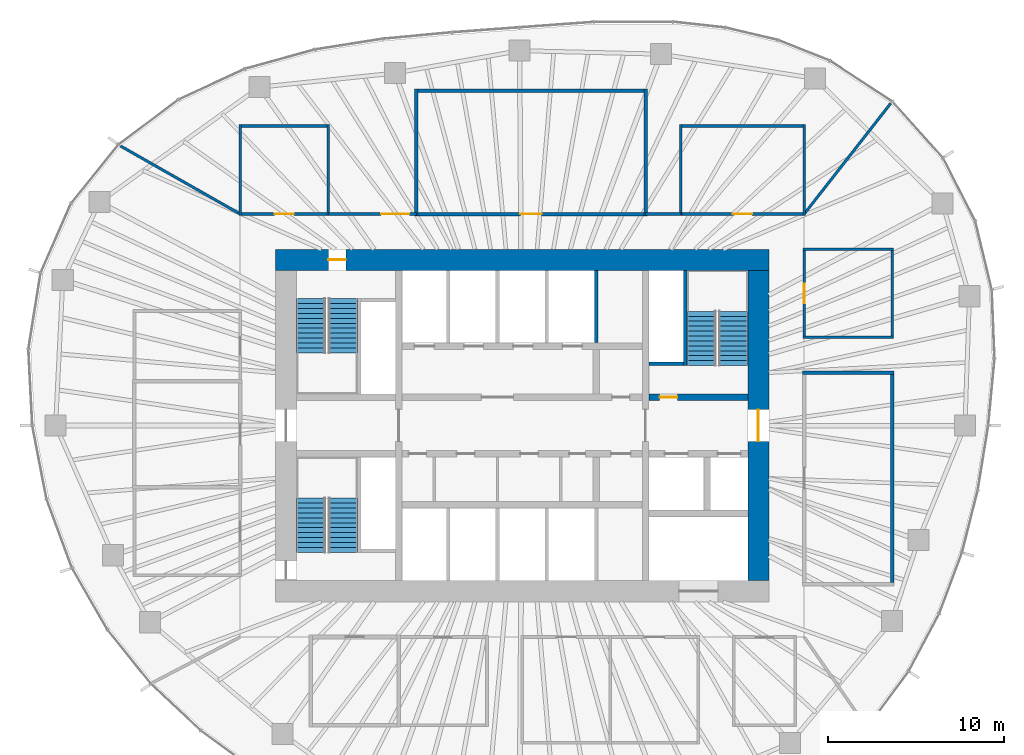
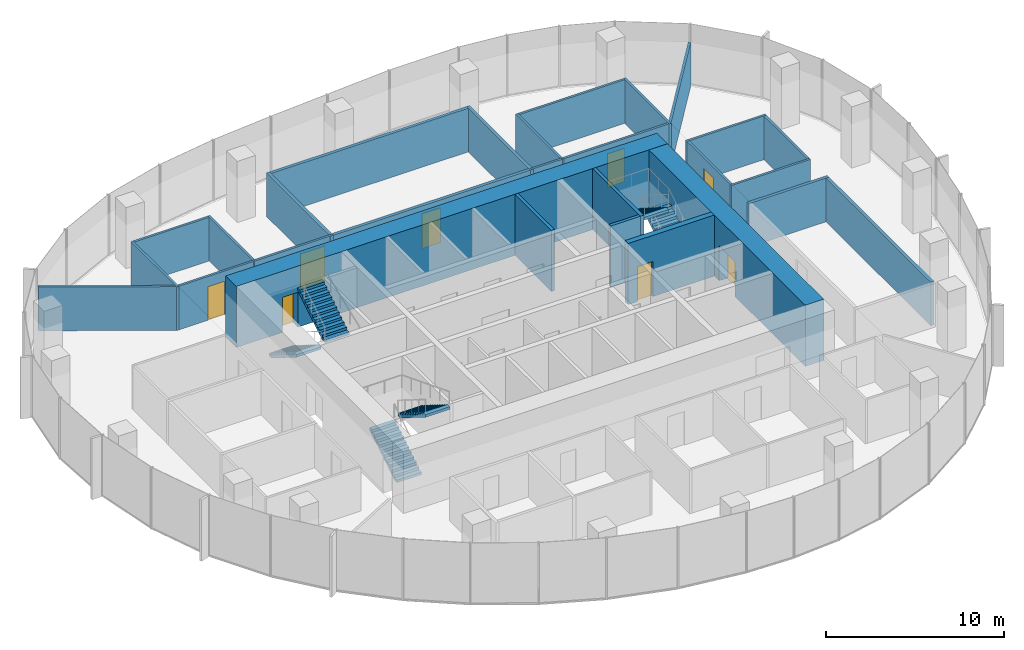
# One storey, part 10 of 11: 28 walls, 8 doors, 6 stair flights, 8 openings, 3 elements without a shape of their own.
"""IFC4 building model written with IfcOpenShell, lengths in metres."""

from ifc_helpers import new_model, si_unit, direction, frame, frame_2d, origin, place, context, subcontext, project, spatial, polyline, rectangle, outline, extrude, material, layer, layer_set, type_object, element, fill, aggregate, save


model = new_model("IFC4")

# Units and contexts
model_context = context("Model", 3, precision=1e-05, world=origin(), true_north=direction((0.0, 1.0)))
body_context = subcontext(model_context, "Body", "Model", "MODEL_VIEW")
ifc_project = project(units=[si_unit("LENGTHUNIT", "METRE"), si_unit("AREAUNIT", "SQUARE_METRE"), si_unit("VOLUMEUNIT", "CUBIC_METRE"), si_unit("PLANEANGLEUNIT", "RADIAN"), si_unit("MASSUNIT", "GRAM", prefix="KILO")], contexts=[model_context])

# Site, building, storey
site_placement = place(None, origin())
site = spatial("IfcSite", under=ifc_project, at=site_placement, CompositionType="ELEMENT")
building_placement = place(site_placement, origin())
building = spatial("IfcBuilding", under=site, at=building_placement, Name="Ghaith Harvest Tower", CompositionType="ELEMENT")
storey_placement = place(building_placement, frame((0.0, 0.0, 257.800048828125)))
storey = spatial("IfcBuildingStorey", under=building, at=storey_placement, Name="L57", CompositionType="ELEMENT", Elevation=257.800048828125)

# Walls
ifc_material_1 = material(Name="Twin-stud gypsum board, acoustic", Category="gypsum")
ifc_layer_1 = layer(ifc_material_1, 0.199951171875)
ifc_layer_set_1 = layer_set([ifc_layer_1], Name="ACOUSTIC PARTITION 200")
wall_type_1 = type_object("IfcWallType", Name="ACOUSTIC PARTITION 200", PredefinedType="PARTITIONING", material=ifc_layer_set_1)
for number, where, z_axis, x_axis, name in (
    (1, (-6.0, 11.89990234375, 0.0), (0.0, 0.0, 1.0), (0.0, 1.0, 0.0), "Partition L57 row N1 cross wall 1"),
    (2, (7.0, 11.89990234375, 0.0), (0.0, 0.0, 1.0), (0.0, 1.0, 0.0), "Partition L57 row N1 cross wall 2"),
):
    element("IfcWall", number, at=place(storey_placement, frame(where, z_axis=z_axis, x_axis=x_axis)), inside=storey, type_object=wall_type_1, Name=name, PredefinedType="PARTITIONING", context=body_context, shape_type="SweptSolid", body=[
        extrude(rectangle(XDim=7.2001953125, YDim=0.199951171875, at=frame_2d((3.60009765625, 0.0))), origin(), (0.0, 0.0, 1.0), 3.0),
    ])

# Wall, opening, door
wall_1_placement = place(storey_placement, frame((-5.89990234375, 12.0, 0.0), z_axis=(0.0, 0.0, 1.0), x_axis=(1.0, 0.0, 0.0)))
wall_1 = element("IfcWall", 3, at=wall_1_placement, inside=storey, type_object=wall_type_1, Name="Partition L57-01", PredefinedType="PARTITIONING", context=body_context, shape_type="SweptSolid", body=[
    extrude(rectangle(XDim=12.7998046875, YDim=0.199951171875, at=frame_2d((6.39990234375, 0.0))), origin(), (0.0, 0.0, 1.0), 3.0),
])
opening_1_placement = place(wall_1_placement, frame((5.800048828125, 0.0, 0.0)))
opening_1 = element("IfcOpeningElement", 4, at=opening_1_placement, cuts=wall_1, Name="Opening 57-022", PredefinedType="OPENING", context=body_context, shape_type="SweptSolid", body=[
    extrude(rectangle(XDim=1.199951171875, YDim=2.39990234375, at=frame_2d((0.60009765625, 1.199951171875))), frame((0.0, 0.10986328125, 0.0), z_axis=(0.0, -1.0, 0.0), x_axis=(1.0, 0.0, 0.0)), (0.0, 0.0, 1.0), 0.219970703125),
])
ifc_material_2 = material(Name="Timber door", Category="wood")
door_type_1 = type_object("IfcDoorType", Name="D11 GLAZED 1200x2400", OperationType="SINGLE_SWING_LEFT", PredefinedType="DOOR", material=ifc_material_2)
door_1_placement = place(opening_1_placement, origin())
door_1 = element("IfcDoor", 5, at=door_1_placement, inside=storey, type_object=door_type_1, Name="Boardroom door", OperationType="SINGLE_SWING_LEFT", OverallHeight=2.39990234375, OverallWidth=1.199951171875, PredefinedType="DOOR", context=body_context, shape_type="SweptSolid", body=[
    extrude(rectangle(XDim=1.199951171875, YDim=2.39990234375, at=frame_2d((0.60009765625, 1.199951171875))), frame((0.0, 0.02490234375, 0.0), z_axis=(0.0, -1.0, 0.0), x_axis=(1.0, 0.0, 0.0)), (0.0, 0.0, 1.0), 0.050048828125),
])
fill(opening_1, door_1)

# Walls
wall_2_placement = place(storey_placement, frame((-5.89990234375, 19.0, 0.0), z_axis=(0.0, 0.0, 1.0), x_axis=(1.0, 0.0, 0.0)))
element("IfcWall", 6, at=wall_2_placement, inside=storey, type_object=wall_type_1, Name="Partition L57-01", PredefinedType="PARTITIONING", context=body_context, shape_type="SweptSolid", body=[
    extrude(rectangle(XDim=12.7998046875, YDim=0.199951171875, at=frame_2d((6.39990234375, 0.0))), origin(), (0.0, 0.0, 1.0), 3.0),
])
wall_3_placement = place(storey_placement, frame((15.89990234375, 3.0, 0.0), z_axis=(0.0, 0.0, 1.0), x_axis=(1.0, 0.0, 0.0)))
element("IfcWall", 7, at=wall_3_placement, inside=storey, type_object=wall_type_1, Name="Partition L57 row E4 cross wall 2", PredefinedType="PARTITIONING", context=body_context, shape_type="SweptSolid", body=[
    extrude(rectangle(XDim=5.2001953125, YDim=0.199951171875, at=frame_2d((2.60009765625, 0.0))), origin(), (0.0, 0.0, 1.0), 3.0),
])
wall_4_placement = place(storey_placement, frame((21.0, -8.89990234375, 0.0), z_axis=(0.0, 0.0, 1.0), x_axis=(0.0, 1.0, 0.0)))
element("IfcWall", 8, at=wall_4_placement, inside=storey, type_object=wall_type_1, Name="Partition L57-04", PredefinedType="PARTITIONING", context=body_context, shape_type="SweptSolid", body=[
    extrude(rectangle(XDim=11.7998046875, YDim=0.199951171875, at=frame_2d((5.89990234375, 0.0))), origin(), (0.0, 0.0, 1.0), 3.0),
])

# Wall, opening, door
ifc_material_3 = material(Name="Concrete C60/75", Category="concrete")
ifc_layer_2 = layer(ifc_material_3, 1.199951171875)
ifc_layer_set_2 = layer_set([ifc_layer_2], Name="CORE WALL CW1200 C60")
wall_type_2 = type_object("IfcWallType", Name="CORE WALL CW1200 C60", PredefinedType="SHEAR", material=ifc_layer_set_2)
wall_5_placement = place(storey_placement, frame((14.0, 9.39990234375, 0.0), z_axis=(0.0, 0.0, 1.0), x_axis=(-1.0, 0.0, 0.0)))
wall_5 = element("IfcWall", 9, at=wall_5_placement, inside=storey, type_object=wall_type_2, Name="Core wall N L57", PredefinedType="SHEAR", context=body_context, shape_type="SweptSolid", body=[
    extrude(rectangle(XDim=28.0, YDim=1.199951171875, at=frame_2d((14.0, 0.0))), origin(), (0.0, 0.0, 1.0), 4.199951171875),
])
opening_2_placement = place(wall_5_placement, frame((24.0, 0.0, 0.0)))
opening_2 = element("IfcOpeningElement", 10, at=opening_2_placement, cuts=wall_5, Name="Opening 57-005", PredefinedType="OPENING", context=body_context, shape_type="SweptSolid", body=[
    extrude(rectangle(XDim=1.0, YDim=2.39990234375, at=frame_2d((0.5, 1.199951171875))), frame((0.0, 0.60986328125, 0.0), z_axis=(0.0, -1.0, 0.0), x_axis=(1.0, 0.0, 0.0)), (0.0, 0.0, 1.0), 1.219970703125),
])
ifc_material_4 = material(Name="Steel fire door", Category="steel")
door_type_2 = type_object("IfcDoorType", Name="D3 FD90 1000x2400", OperationType="SINGLE_SWING_LEFT", PredefinedType="DOOR", material=ifc_material_4)
door_2_placement = place(opening_2_placement, origin())
door_2 = element("IfcDoor", 11, at=door_2_placement, inside=storey, type_object=door_type_2, Name="Stair ST1 door", OperationType="SINGLE_SWING_RIGHT", OverallHeight=2.39990234375, OverallWidth=1.0, PredefinedType="DOOR", context=body_context, shape_type="SweptSolid", body=[
    extrude(rectangle(XDim=1.0, YDim=2.39990234375, at=frame_2d((0.5, 1.199951171875))), frame((0.0, 0.02490234375, 0.0), z_axis=(0.0, -1.0, 0.0), x_axis=(1.0, 0.0, 0.0)), (0.0, 0.0, 1.0), 0.050048828125),
])
fill(opening_2, door_2)

wall_6_placement = place(storey_placement, frame((13.39990234375, -8.800048828125, 0.0), z_axis=(0.0, 0.0, 1.0), x_axis=(0.0, 1.0, 0.0)))
wall_6 = element("IfcWall", 12, at=wall_6_placement, inside=storey, type_object=wall_type_2, Name="Core wall E L57", PredefinedType="SHEAR", context=body_context, shape_type="SweptSolid", body=[
    extrude(rectangle(XDim=17.60009765625, YDim=1.199951171875, at=frame_2d((8.800048828125, 0.0))), origin(), (0.0, 0.0, 1.0), 4.199951171875),
])
opening_3_placement = place(wall_6_placement, frame((7.89990234375, 0.0, 0.0)))
opening_3 = element("IfcOpeningElement", 13, at=opening_3_placement, cuts=wall_6, Name="Opening 57-002", PredefinedType="OPENING", context=body_context, shape_type="SweptSolid", body=[
    extrude(rectangle(XDim=1.800048828125, YDim=2.39990234375, at=frame_2d((0.89990234375, 1.199951171875))), frame((0.0, 0.60986328125, 0.0), z_axis=(0.0, -1.0, 0.0), x_axis=(1.0, 0.0, 0.0)), (0.0, 0.0, 1.0), 1.219970703125),
])
ifc_material_5 = material(Name="Steel fire door", Category="steel")
door_type_3 = type_object("IfcDoorType", Name="D4 FD90 PAIR 1800x2400", OperationType="DOUBLE_DOOR_SINGLE_SWING", PredefinedType="DOOR", material=ifc_material_5)
door_3_placement = place(opening_3_placement, origin())
door_3 = element("IfcDoor", 14, at=door_3_placement, inside=storey, type_object=door_type_3, Name="Fire-fighting lobby doors", OperationType="DOUBLE_DOOR_SINGLE_SWING", OverallHeight=2.39990234375, OverallWidth=1.800048828125, PredefinedType="DOOR", context=body_context, shape_type="SweptSolid", body=[
    extrude(rectangle(XDim=1.800048828125, YDim=2.39990234375, at=frame_2d((0.89990234375, 1.199951171875))), frame((0.0, 0.02490234375, 0.0), z_axis=(0.0, -1.0, 0.0), x_axis=(1.0, 0.0, 0.0)), (0.0, 0.0, 1.0), 0.050048828125),
])
fill(opening_3, door_3)

# Walls
ifc_material_6 = material(Name="Concrete blockwork, 2-hour", Category="masonry")
ifc_layer_3 = layer(ifc_material_6, 0.199951171875)
ifc_layer_set_3 = layer_set([ifc_layer_3], Name="LIFT SHAFT WALL 200")
wall_type_3 = type_object("IfcWallType", Name="LIFT SHAFT WALL 200", PredefinedType="PARTITIONING", material=ifc_layer_set_3)
wall_7_placement = place(storey_placement, frame((4.199951171875, 4.699951171875, 0.0), z_axis=(0.0, 0.0, 1.0), x_axis=(0.0, 1.0, 0.0)))
element("IfcWall", 15, at=wall_7_placement, inside=storey, type_object=wall_type_3, Name="Lift shaft wall L57", PredefinedType="PARTITIONING", context=body_context, shape_type="SweptSolid", body=[
    extrude(rectangle(XDim=4.10009765625, YDim=0.199951171875, at=frame_2d((2.050048828125, 0.0))), origin(), (0.0, 0.0, 1.0), 4.199951171875),
])
ifc_material_7 = material(Name="Gypsum board on steel studs", Category="steel")
ifc_layer_4 = layer(ifc_material_7, 0.14990234375)
ifc_layer_set_4 = layer_set([ifc_layer_4], Name="PARTITION 150")
wall_type_4 = type_object("IfcWallType", Name="PARTITION 150", PredefinedType="PARTITIONING", material=ifc_layer_set_4)
for number, where, z_axis, x_axis, name in (
    (16, (9.0, 11.925048828125, 0.0), (0.0, 0.0, 1.0), (0.0, 1.0, 0.0), "Partition L57 row N2 cross wall 1"),
    (17, (16.0, 11.925048828125, 0.0), (0.0, 0.0, 1.0), (0.0, 1.0, 0.0), "Partition L57 row N2 cross wall 2"),
):
    element("IfcWall", number, at=place(storey_placement, frame(where, z_axis=z_axis, x_axis=x_axis)), inside=storey, type_object=wall_type_4, Name=name, PredefinedType="PARTITIONING", context=body_context, shape_type="SweptSolid", body=[
        extrude(rectangle(XDim=5.14990234375, YDim=0.14990234375, at=frame_2d((2.574951171875, 0.0))), origin(), (0.0, 0.0, 1.0), 3.0),
    ])

# Wall, opening, door
wall_8_placement = place(storey_placement, frame((9.074951171875, 12.0, 0.0), z_axis=(0.0, 0.0, 1.0), x_axis=(1.0, 0.0, 0.0)))
wall_8 = element("IfcWall", 18, at=wall_8_placement, inside=storey, type_object=wall_type_4, Name="Partition L57-02", PredefinedType="PARTITIONING", context=body_context, shape_type="SweptSolid", body=[
    extrude(rectangle(XDim=6.85009765625, YDim=0.14990234375, at=frame_2d((3.425048828125, 0.0))), origin(), (0.0, 0.0, 1.0), 3.0),
])
opening_4_placement = place(wall_8_placement, frame((2.875, 0.0, 0.0)))
opening_4 = element("IfcOpeningElement", 19, at=opening_4_placement, cuts=wall_8, Name="Opening 57-023", PredefinedType="OPENING", context=body_context, shape_type="SweptSolid", body=[
    extrude(rectangle(XDim=1.10009765625, YDim=2.300048828125, at=frame_2d((0.550048828125, 1.14990234375))), frame((0.0, 0.0849609375, 0.0), z_axis=(0.0, -1.0, 0.0), x_axis=(1.0, 0.0, 0.0)), (0.0, 0.0, 1.0), 0.169921875),
])
ifc_material_8 = material(Name="Timber-framed glazed door", Category="wood")
door_type_4 = type_object("IfcDoorType", Name="D12 GLAZED OFFICE 1100x2300", OperationType="SINGLE_SWING_LEFT", PredefinedType="DOOR", material=ifc_material_8)
door_4_placement = place(opening_4_placement, origin())
door_4 = element("IfcDoor", 20, at=door_4_placement, inside=storey, type_object=door_type_4, Name="Chairman's office door", OperationType="SINGLE_SWING_LEFT", OverallHeight=2.300048828125, OverallWidth=1.10009765625, PredefinedType="DOOR", context=body_context, shape_type="SweptSolid", body=[
    extrude(rectangle(XDim=1.10009765625, YDim=2.300048828125, at=frame_2d((0.550048828125, 1.14990234375))), frame((0.0, 0.02490234375, 0.0), z_axis=(0.0, -1.0, 0.0), x_axis=(1.0, 0.0, 0.0)), (0.0, 0.0, 1.0), 0.050048828125),
])
fill(opening_4, door_4)

# Walls
wall_9_placement = place(storey_placement, frame((9.074951171875, 17.0, 0.0), z_axis=(0.0, 0.0, 1.0), x_axis=(1.0, 0.0, 0.0)))
element("IfcWall", 21, at=wall_9_placement, inside=storey, type_object=wall_type_4, Name="Partition L57-02", PredefinedType="PARTITIONING", context=body_context, shape_type="SweptSolid", body=[
    extrude(rectangle(XDim=6.85009765625, YDim=0.14990234375, at=frame_2d((3.425048828125, 0.0))), origin(), (0.0, 0.0, 1.0), 3.0),
])
for number, where, z_axis, x_axis, name in (
    (22, (-16.0, 11.925048828125, 0.0), (0.0, 0.0, 1.0), (0.0, 1.0, 0.0), "Partition L57 row N3 cross wall 1"),
    (23, (-11.0, 11.925048828125, 0.0), (0.0, 0.0, 1.0), (0.0, 1.0, 0.0), "Partition L57 row N3 cross wall 2"),
):
    element("IfcWall", number, at=place(storey_placement, frame(where, z_axis=z_axis, x_axis=x_axis)), inside=storey, type_object=wall_type_4, Name=name, PredefinedType="PARTITIONING", context=body_context, shape_type="SweptSolid", body=[
        extrude(rectangle(XDim=5.14990234375, YDim=0.14990234375, at=frame_2d((2.574951171875, 0.0))), origin(), (0.0, 0.0, 1.0), 3.0),
    ])

# Wall, opening, door
wall_10_placement = place(storey_placement, frame((-15.925048828125, 12.0, 0.0), z_axis=(0.0, 0.0, 1.0), x_axis=(1.0, 0.0, 0.0)))
wall_10 = element("IfcWall", 24, at=wall_10_placement, inside=storey, type_object=wall_type_4, Name="Partition L57-03", PredefinedType="PARTITIONING", context=body_context, shape_type="SweptSolid", body=[
    extrude(rectangle(XDim=4.85009765625, YDim=0.14990234375, at=frame_2d((2.425048828125, 0.0))), origin(), (0.0, 0.0, 1.0), 3.0),
])
opening_5_placement = place(wall_10_placement, frame((1.875, 0.0, 0.0)))
opening_5 = element("IfcOpeningElement", 25, at=opening_5_placement, cuts=wall_10, Name="Opening 57-024", PredefinedType="OPENING", context=body_context, shape_type="SweptSolid", body=[
    extrude(rectangle(XDim=1.10009765625, YDim=2.300048828125, at=frame_2d((0.550048828125, 1.14990234375))), frame((0.0, 0.0849609375, 0.0), z_axis=(0.0, -1.0, 0.0), x_axis=(1.0, 0.0, 0.0)), (0.0, 0.0, 1.0), 0.169921875),
])
door_5_placement = place(opening_5_placement, origin())
door_5 = element("IfcDoor", 26, at=door_5_placement, inside=storey, type_object=door_type_4, Name="Executive assistant office door", OperationType="SINGLE_SWING_LEFT", OverallHeight=2.300048828125, OverallWidth=1.10009765625, PredefinedType="DOOR", context=body_context, shape_type="SweptSolid", body=[
    extrude(rectangle(XDim=1.10009765625, YDim=2.300048828125, at=frame_2d((0.550048828125, 1.14990234375))), frame((0.0, 0.02490234375, 0.0), z_axis=(0.0, -1.0, 0.0), x_axis=(1.0, 0.0, 0.0)), (0.0, 0.0, 1.0), 0.050048828125),
])
fill(opening_5, door_5)

# Walls
wall_11_placement = place(storey_placement, frame((-15.925048828125, 17.0, 0.0), z_axis=(0.0, 0.0, 1.0), x_axis=(1.0, 0.0, 0.0)))
element("IfcWall", 27, at=wall_11_placement, inside=storey, type_object=wall_type_4, Name="Partition L57-03", PredefinedType="PARTITIONING", context=body_context, shape_type="SweptSolid", body=[
    extrude(rectangle(XDim=4.85009765625, YDim=0.14990234375, at=frame_2d((2.425048828125, 0.0))), origin(), (0.0, 0.0, 1.0), 3.0),
])
for number, where, z_axis, x_axis, name in (
    (28, (15.925048828125, 5.0, 0.0), (0.0, 0.0, 1.0), (1.0, 0.0, 0.0), "Partition L57 row E9 cross wall 1"),
    (29, (15.925048828125, 10.0, 0.0), (0.0, 0.0, 1.0), (1.0, 0.0, 0.0), "Partition L57 row E9 cross wall 2"),
):
    element("IfcWall", number, at=place(storey_placement, frame(where, z_axis=z_axis, x_axis=x_axis)), inside=storey, type_object=wall_type_4, Name=name, PredefinedType="PARTITIONING", context=body_context, shape_type="SweptSolid", body=[
        extrude(rectangle(XDim=5.14990234375, YDim=0.14990234375, at=frame_2d((2.574951171875, 0.0))), origin(), (0.0, 0.0, 1.0), 3.0),
    ])

# Wall, opening, door
wall_12_placement = place(storey_placement, frame((16.0, 5.074951171875, 0.0), z_axis=(0.0, 0.0, 1.0), x_axis=(0.0, 1.0, 0.0)))
wall_12 = element("IfcWall", 30, at=wall_12_placement, inside=storey, type_object=wall_type_4, Name="Partition L57-13", PredefinedType="PARTITIONING", context=body_context, shape_type="SweptSolid", body=[
    extrude(rectangle(XDim=4.85009765625, YDim=0.14990234375, at=frame_2d((2.425048828125, 0.0))), origin(), (0.0, 0.0, 1.0), 3.0),
])
opening_6_placement = place(wall_12_placement, frame((1.875, 0.0, 0.0)))
opening_6 = element("IfcOpeningElement", 31, at=opening_6_placement, cuts=wall_12, Name="Opening 57-034", PredefinedType="OPENING", context=body_context, shape_type="SweptSolid", body=[
    extrude(rectangle(XDim=1.10009765625, YDim=2.300048828125, at=frame_2d((0.550048828125, 1.14990234375))), frame((0.0, 0.0849609375, 0.0), z_axis=(0.0, -1.0, 0.0), x_axis=(1.0, 0.0, 0.0)), (0.0, 0.0, 1.0), 0.169921875),
])
door_6_placement = place(opening_6_placement, origin())
door_6 = element("IfcDoor", 32, at=door_6_placement, inside=storey, type_object=door_type_4, Name="Office door", OperationType="SINGLE_SWING_LEFT", OverallHeight=2.300048828125, OverallWidth=1.10009765625, PredefinedType="DOOR", context=body_context, shape_type="SweptSolid", body=[
    extrude(rectangle(XDim=1.10009765625, YDim=2.300048828125, at=frame_2d((0.550048828125, 1.14990234375))), frame((0.0, 0.02490234375, 0.0), z_axis=(0.0, -1.0, 0.0), x_axis=(1.0, 0.0, 0.0)), (0.0, 0.0, 1.0), 0.050048828125),
])
fill(opening_6, door_6)

# Walls
wall_13_placement = place(storey_placement, frame((21.0, 5.074951171875, 0.0), z_axis=(0.0, 0.0, 1.0), x_axis=(0.0, 1.0, 0.0)))
element("IfcWall", 33, at=wall_13_placement, inside=storey, type_object=wall_type_4, Name="Partition L57-13", PredefinedType="PARTITIONING", context=body_context, shape_type="SweptSolid", body=[
    extrude(rectangle(XDim=4.85009765625, YDim=0.14990234375, at=frame_2d((2.425048828125, 0.0))), origin(), (0.0, 0.0, 1.0), 3.0),
])
wall_14_placement = place(storey_placement, frame((-16.02001953125, 12.011474609375, 0.0), z_axis=(0.0, 0.0, 1.0), x_axis=(-0.869354026591, 0.494189818238, 0.0)))
element("IfcWall", 34, at=wall_14_placement, inside=storey, type_object=wall_type_4, Name="Partition L57 zone division", PredefinedType="PARTITIONING", context=body_context, shape_type="SweptSolid", body=[
    extrude(rectangle(XDim=7.788330078125, YDim=0.14990234375, at=frame_2d((3.89404296875, 0.0))), origin(), (0.0, 0.0, 1.0), 3.0),
])
wall_15_placement = place(storey_placement, frame((16.02001953125, 12.025634765625, 0.0), z_axis=(0.0, 0.0, 1.0), x_axis=(0.616031272047, 0.787721696959, 0.0)))
element("IfcWall", 35, at=wall_15_placement, inside=storey, type_object=wall_type_4, Name="Partition L57 zone division", PredefinedType="PARTITIONING", context=body_context, shape_type="SweptSolid", body=[
    extrude(rectangle(XDim=7.93896484375, YDim=0.14990234375, at=frame_2d((3.969482421875, 0.0))), origin(), (0.0, 0.0, 1.0), 3.0),
])

# Wall, opening, door
wall_16_placement = place(storey_placement, frame((-6.0, 12.0, 0.0), z_axis=(0.0, 0.0, 1.0), x_axis=(-1.0, 0.0, 0.0)))
wall_16 = element("IfcWall", 36, at=wall_16_placement, inside=storey, type_object=wall_type_4, Name="Partition L57 zone enclosure", PredefinedType="PARTITIONING", context=body_context, shape_type="SweptSolid", body=[
    extrude(rectangle(XDim=5.0, YDim=0.14990234375, at=frame_2d((2.5, 0.0))), origin(), (0.0, 0.0, 1.0), 3.0),
])
opening_7_placement = place(wall_16_placement, frame((0.39990234375, 0.0, 0.0)))
opening_7 = element("IfcOpeningElement", 37, at=opening_7_placement, cuts=wall_16, Name="Opening 57-035", PredefinedType="OPENING", context=body_context, shape_type="SweptSolid", body=[
    extrude(rectangle(XDim=1.60009765625, YDim=2.39990234375, at=frame_2d((0.800048828125, 1.199951171875))), frame((0.0, 0.0849609375, 0.0), z_axis=(0.0, -1.0, 0.0), x_axis=(1.0, 0.0, 0.0)), (0.0, 0.0, 1.0), 0.169921875),
])
ifc_material_9 = material(Name="Timber door", Category="wood")
door_type_5 = type_object("IfcDoorType", Name="D2 PAIR 1600x2400", OperationType="DOUBLE_DOOR_SINGLE_SWING", PredefinedType="DOOR", material=ifc_material_9)
door_7_placement = place(opening_7_placement, origin())
door_7 = element("IfcDoor", 38, at=door_7_placement, inside=storey, type_object=door_type_5, Name="Board workplace north door", OperationType="DOUBLE_DOOR_SINGLE_SWING", OverallHeight=2.39990234375, OverallWidth=1.60009765625, PredefinedType="DOOR", context=body_context, shape_type="SweptSolid", body=[
    extrude(rectangle(XDim=1.60009765625, YDim=2.39990234375, at=frame_2d((0.800048828125, 1.199951171875))), frame((0.0, 0.02490234375, 0.0), z_axis=(0.0, -1.0, 0.0), x_axis=(1.0, 0.0, 0.0)), (0.0, 0.0, 1.0), 0.050048828125),
])
fill(opening_7, door_7)

# Wall
wall_17_placement = place(storey_placement, frame((9.0, 12.0, 0.0), z_axis=(0.0, 0.0, 1.0), x_axis=(-1.0, 0.0, 0.0)))
element("IfcWall", 39, at=wall_17_placement, inside=storey, type_object=wall_type_4, Name="Partition L57 zone enclosure", PredefinedType="PARTITIONING", context=body_context, shape_type="SweptSolid", body=[
    extrude(rectangle(XDim=2.0, YDim=0.14990234375, at=frame_2d((1.0, 0.0))), origin(), (0.0, 0.0, 1.0), 3.0),
])

# Wall, opening, door
ifc_material_10 = material(Name="Concrete C60/75", Category="concrete")
ifc_layer_5 = layer(ifc_material_10, 0.35009765625)
ifc_layer_set_5 = layer_set([ifc_layer_5], Name="SHAFT WALL 350")
wall_type_5 = type_object("IfcWallType", Name="SHAFT WALL 350", PredefinedType="SHEAR", material=ifc_layer_set_5)
wall_18_placement = place(storey_placement, frame((7.199951171875, 1.60009765625, 0.0), z_axis=(0.0, 0.0, 1.0), x_axis=(1.0, 0.0, 0.0)))
wall_18 = element("IfcWall", 40, at=wall_18_placement, inside=storey, type_object=wall_type_5, Name="Shaft wall EN L57", PredefinedType="SHEAR", context=body_context, shape_type="SweptSolid", body=[
    extrude(rectangle(XDim=5.60009765625, YDim=0.35009765625, at=frame_2d((2.800048828125, 0.0))), origin(), (0.0, 0.0, 1.0), 4.199951171875),
])
opening_8_placement = place(wall_18_placement, frame((0.60009765625, 0.0, 0.0)))
opening_8 = element("IfcOpeningElement", 41, at=opening_8_placement, cuts=wall_18, Name="Opening 57-007", PredefinedType="OPENING", context=body_context, shape_type="SweptSolid", body=[
    extrude(rectangle(XDim=1.0, YDim=2.39990234375, at=frame_2d((0.5, 1.199951171875))), frame((0.0, 0.18505859375, 0.0), z_axis=(0.0, -1.0, 0.0), x_axis=(1.0, 0.0, 0.0)), (0.0, 0.0, 1.0), 0.3701171875),
])
door_8_placement = place(opening_8_placement, origin())
door_8 = element("IfcDoor", 42, at=door_8_placement, inside=storey, type_object=door_type_2, Name="Stair ST2 door", OperationType="SINGLE_SWING_LEFT", OverallHeight=2.39990234375, OverallWidth=1.0, PredefinedType="DOOR", context=body_context, shape_type="SweptSolid", body=[
    extrude(rectangle(XDim=1.0, YDim=2.39990234375, at=frame_2d((0.5, 1.199951171875))), frame((0.0, 0.02490234375, 0.0), z_axis=(0.0, -1.0, 0.0), x_axis=(1.0, 0.0, 0.0)), (0.0, 0.0, 1.0), 0.050048828125),
])
fill(opening_8, door_8)

# Walls
ifc_material_11 = material(Name="Concrete C40/50", Category="concrete")
ifc_layer_6 = layer(ifc_material_11, 0.199951171875)
ifc_layer_set_6 = layer_set([ifc_layer_6], Name="STAIR SPINE WALL RC200")
wall_type_6 = type_object("IfcWallType", Name="STAIR SPINE WALL RC200", PredefinedType="SOLIDWALL", material=ifc_layer_set_6)
wall_19_placement = place(storey_placement, frame((9.25, 3.39990234375, 0.0), z_axis=(0.0, 0.0, 1.0), x_axis=(0.0, 1.0, 0.0)))
element("IfcWall", 43, at=wall_19_placement, inside=storey, type_object=wall_type_6, Name="Stair ST2 spine wall L57", PredefinedType="SOLIDWALL", context=body_context, shape_type="SweptSolid", body=[
    extrude(rectangle(XDim=5.400146484375, YDim=0.199951171875, at=frame_2d((2.7001953125, 0.0))), origin(), (0.0, 0.0, 1.0), 4.199951171875),
])
wall_20_placement = place(storey_placement, frame((9.14990234375, 3.5, 0.0), z_axis=(0.0, 0.0, 1.0), x_axis=(-1.0, 0.0, 0.0)))
element("IfcWall", 44, at=wall_20_placement, inside=storey, type_object=wall_type_6, Name="Stair ST2 spine wall return L57", PredefinedType="SOLIDWALL", context=body_context, shape_type="SweptSolid", body=[
    extrude(rectangle(XDim=1.949951171875, YDim=0.199951171875, at=frame_2d((0.97509765625, 0.0))), origin(), (0.0, 0.0, 1.0), 4.199951171875),
])

# Stair, stair flights
ifc_material_12 = material(Name="Concrete C40/50, precast", Category="concrete")
stair_type = type_object("IfcStairType", Name="CORE STAIR 24R", PredefinedType="HALF_TURN_STAIR", material=ifc_material_12)
stair_1_placement = place(storey_placement, origin())
stair_1 = element("IfcStair", 45, at=stair_1_placement, inside=storey, type_object=stair_type, Name="Stair ST1 L57", PredefinedType="HALF_TURN_STAIR")
ifc_material_13 = material(Name="Concrete C40/50, precast", Category="concrete")
stair_flight_type = type_object("IfcStairFlightType", Name="CORE FLIGHT 12R 1600", PredefinedType="STRAIGHT", material=ifc_material_13)
stair_flight_1_placement = place(storey_placement, frame((-12.0, 7.199951171875, 0.0), z_axis=(0.0, 0.0, 1.0), x_axis=(0.0, -1.0, 0.0)))
stair_flight_1 = element("IfcStairFlight", 46, at=stair_flight_1_placement, type_object=stair_flight_type, Name="ST1 flight 1", NumberOfRisers=12, NumberOfTreads=11, PredefinedType="STRAIGHT", RiserHeight=0.175, TreadLength=0.28, context=body_context, shape_type="SweptSolid", body=[
    extrude(outline(polyline([(0.0, 0.0), (0.0, 0.175048828125), (0.280029296875, 0.175048828125), (0.280029296875, 0.35009765625), (0.56005859375, 0.35009765625), (0.56005859375, 0.52490234375), (0.840087890625, 0.52490234375), (0.840087890625, 0.699951171875), (1.1201171875, 0.699951171875), (1.1201171875, 0.875), (1.39990234375, 0.875), (1.39990234375, 1.050048828125), (1.679931640625, 1.050048828125), (1.679931640625, 1.22509765625), (1.9599609375, 1.22509765625), (1.9599609375, 1.39990234375), (2.239990234375, 1.39990234375), (2.239990234375, 1.574951171875), (2.52001953125, 1.574951171875), (2.52001953125, 1.75), (2.800048828125, 1.75), (2.800048828125, 1.925048828125), (3.080078125, 1.925048828125), (3.080078125, 2.10009765625), (3.080078125, 1.748291015625), (0.28271484375, 0.0), (0.0, 0.0)])), frame((0.0, 0.800048828125, 0.0), z_axis=(0.0, -1.0, 0.0), x_axis=(1.0, 0.0, 0.0)), (0.0, 0.0, 1.0), 1.60009765625),
])
stair_flight_2_placement = place(storey_placement, frame((-10.14990234375, 4.1201171875, 2.099853515625), z_axis=(0.0, 0.0, 1.0), x_axis=(0.0, 1.0, 0.0)))
stair_flight_2 = element("IfcStairFlight", 47, at=stair_flight_2_placement, type_object=stair_flight_type, Name="ST1 flight 2", NumberOfRisers=12, NumberOfTreads=11, PredefinedType="STRAIGHT", RiserHeight=0.175, TreadLength=0.28, context=body_context, shape_type="SweptSolid", body=[
    extrude(outline(polyline([(0.0, 0.0), (0.0, 0.175048828125), (0.280029296875, 0.175048828125), (0.280029296875, 0.35009765625), (0.56005859375, 0.35009765625), (0.56005859375, 0.52490234375), (0.840087890625, 0.52490234375), (0.840087890625, 0.699951171875), (1.1201171875, 0.699951171875), (1.1201171875, 0.875), (1.39990234375, 0.875), (1.39990234375, 1.050048828125), (1.679931640625, 1.050048828125), (1.679931640625, 1.22509765625), (1.9599609375, 1.22509765625), (1.9599609375, 1.39990234375), (2.239990234375, 1.39990234375), (2.239990234375, 1.574951171875), (2.52001953125, 1.574951171875), (2.52001953125, 1.75), (2.800048828125, 1.75), (2.800048828125, 1.925048828125), (3.080078125, 1.925048828125), (3.080078125, 2.10009765625), (3.080078125, 1.748291015625), (0.28271484375, 0.0), (0.0, 0.0)])), frame((0.0, 0.800048828125, 0.0), z_axis=(0.0, -1.0, 0.0), x_axis=(1.0, 0.0, 0.0)), (0.0, 0.0, 1.0), 1.60009765625),
])
aggregate(stair_1, [stair_flight_1, stair_flight_2])

stair_2_placement = place(storey_placement, origin())
stair_2 = element("IfcStair", 48, at=stair_2_placement, inside=storey, type_object=stair_type, Name="Stair ST3 L57", PredefinedType="HALF_TURN_STAIR")
stair_flight_3_placement = place(storey_placement, frame((-12.0, -7.199951171875, 0.0), z_axis=(0.0, 0.0, 1.0), x_axis=(0.0, 1.0, 0.0)))
stair_flight_3 = element("IfcStairFlight", 49, at=stair_flight_3_placement, type_object=stair_flight_type, Name="ST3 flight 1", NumberOfRisers=12, NumberOfTreads=11, PredefinedType="STRAIGHT", RiserHeight=0.175, TreadLength=0.28, context=body_context, shape_type="SweptSolid", body=[
    extrude(outline(polyline([(0.0, 0.0), (0.0, 0.175048828125), (0.280029296875, 0.175048828125), (0.280029296875, 0.35009765625), (0.56005859375, 0.35009765625), (0.56005859375, 0.52490234375), (0.840087890625, 0.52490234375), (0.840087890625, 0.699951171875), (1.1201171875, 0.699951171875), (1.1201171875, 0.875), (1.39990234375, 0.875), (1.39990234375, 1.050048828125), (1.679931640625, 1.050048828125), (1.679931640625, 1.22509765625), (1.9599609375, 1.22509765625), (1.9599609375, 1.39990234375), (2.239990234375, 1.39990234375), (2.239990234375, 1.574951171875), (2.52001953125, 1.574951171875), (2.52001953125, 1.75), (2.800048828125, 1.75), (2.800048828125, 1.925048828125), (3.080078125, 1.925048828125), (3.080078125, 2.10009765625), (3.080078125, 1.748291015625), (0.28271484375, 0.0), (0.0, 0.0)])), frame((0.0, 0.800048828125, 0.0), z_axis=(0.0, -1.0, 0.0), x_axis=(1.0, 0.0, 0.0)), (0.0, 0.0, 1.0), 1.60009765625),
])
stair_flight_4_placement = place(storey_placement, frame((-10.14990234375, -4.1201171875, 2.099853515625), z_axis=(0.0, 0.0, 1.0), x_axis=(0.0, -1.0, 0.0)))
stair_flight_4 = element("IfcStairFlight", 50, at=stair_flight_4_placement, type_object=stair_flight_type, Name="ST3 flight 2", NumberOfRisers=12, NumberOfTreads=11, PredefinedType="STRAIGHT", RiserHeight=0.175, TreadLength=0.28, context=body_context, shape_type="SweptSolid", body=[
    extrude(outline(polyline([(0.0, 0.0), (0.0, 0.175048828125), (0.280029296875, 0.175048828125), (0.280029296875, 0.35009765625), (0.56005859375, 0.35009765625), (0.56005859375, 0.52490234375), (0.840087890625, 0.52490234375), (0.840087890625, 0.699951171875), (1.1201171875, 0.699951171875), (1.1201171875, 0.875), (1.39990234375, 0.875), (1.39990234375, 1.050048828125), (1.679931640625, 1.050048828125), (1.679931640625, 1.22509765625), (1.9599609375, 1.22509765625), (1.9599609375, 1.39990234375), (2.239990234375, 1.39990234375), (2.239990234375, 1.574951171875), (2.52001953125, 1.574951171875), (2.52001953125, 1.75), (2.800048828125, 1.75), (2.800048828125, 1.925048828125), (3.080078125, 1.925048828125), (3.080078125, 2.10009765625), (3.080078125, 1.748291015625), (0.28271484375, 0.0), (0.0, 0.0)])), frame((0.0, 0.800048828125, 0.0), z_axis=(0.0, -1.0, 0.0), x_axis=(1.0, 0.0, 0.0)), (0.0, 0.0, 1.0), 1.60009765625),
])
aggregate(stair_2, [stair_flight_3, stair_flight_4])

stair_3_placement = place(storey_placement, origin())
stair_3 = element("IfcStair", 51, at=stair_3_placement, inside=storey, type_object=stair_type, Name="Stair ST2 L57", PredefinedType="HALF_TURN_STAIR")
stair_flight_5_placement = place(storey_placement, frame((12.0, 3.39990234375, 0.0), z_axis=(0.0, 0.0, 1.0), x_axis=(0.0, 1.0, 0.0)))
stair_flight_5 = element("IfcStairFlight", 52, at=stair_flight_5_placement, type_object=stair_flight_type, Name="ST2 flight 1", NumberOfRisers=12, NumberOfTreads=11, PredefinedType="STRAIGHT", RiserHeight=0.175, TreadLength=0.28, context=body_context, shape_type="SweptSolid", body=[
    extrude(outline(polyline([(0.0, 0.0), (0.0, 0.175048828125), (0.280029296875, 0.175048828125), (0.280029296875, 0.35009765625), (0.56005859375, 0.35009765625), (0.56005859375, 0.52490234375), (0.840087890625, 0.52490234375), (0.840087890625, 0.699951171875), (1.1201171875, 0.699951171875), (1.1201171875, 0.875), (1.39990234375, 0.875), (1.39990234375, 1.050048828125), (1.679931640625, 1.050048828125), (1.679931640625, 1.22509765625), (1.9599609375, 1.22509765625), (1.9599609375, 1.39990234375), (2.239990234375, 1.39990234375), (2.239990234375, 1.574951171875), (2.52001953125, 1.574951171875), (2.52001953125, 1.75), (2.800048828125, 1.75), (2.800048828125, 1.925048828125), (3.080078125, 1.925048828125), (3.080078125, 2.10009765625), (3.080078125, 1.748291015625), (0.28271484375, 0.0), (0.0, 0.0)])), frame((0.0, 0.800048828125, 0.0), z_axis=(0.0, -1.0, 0.0), x_axis=(1.0, 0.0, 0.0)), (0.0, 0.0, 1.0), 1.60009765625),
])
stair_flight_6_placement = place(storey_placement, frame((10.14990234375, 6.47998046875, 2.099853515625), z_axis=(0.0, 0.0, 1.0), x_axis=(0.0, -1.0, 0.0)))
stair_flight_6 = element("IfcStairFlight", 53, at=stair_flight_6_placement, type_object=stair_flight_type, Name="ST2 flight 2", NumberOfRisers=12, NumberOfTreads=11, PredefinedType="STRAIGHT", RiserHeight=0.175, TreadLength=0.28, context=body_context, shape_type="SweptSolid", body=[
    extrude(outline(polyline([(0.0, 0.0), (0.0, 0.175048828125), (0.280029296875, 0.175048828125), (0.280029296875, 0.35009765625), (0.56005859375, 0.35009765625), (0.56005859375, 0.52490234375), (0.840087890625, 0.52490234375), (0.840087890625, 0.699951171875), (1.1201171875, 0.699951171875), (1.1201171875, 0.875), (1.39990234375, 0.875), (1.39990234375, 1.050048828125), (1.679931640625, 1.050048828125), (1.679931640625, 1.22509765625), (1.9599609375, 1.22509765625), (1.9599609375, 1.39990234375), (2.239990234375, 1.39990234375), (2.239990234375, 1.574951171875), (2.52001953125, 1.574951171875), (2.52001953125, 1.75), (2.800048828125, 1.75), (2.800048828125, 1.925048828125), (3.080078125, 1.925048828125), (3.080078125, 2.10009765625), (3.080078125, 1.748291015625), (0.28271484375, 0.0), (0.0, 0.0)])), frame((0.0, 0.800048828125, 0.0), z_axis=(0.0, -1.0, 0.0), x_axis=(1.0, 0.0, 0.0)), (0.0, 0.0, 1.0), 1.60009765625),
])
aggregate(stair_3, [stair_flight_5, stair_flight_6])

save(model, "model.ifc")
